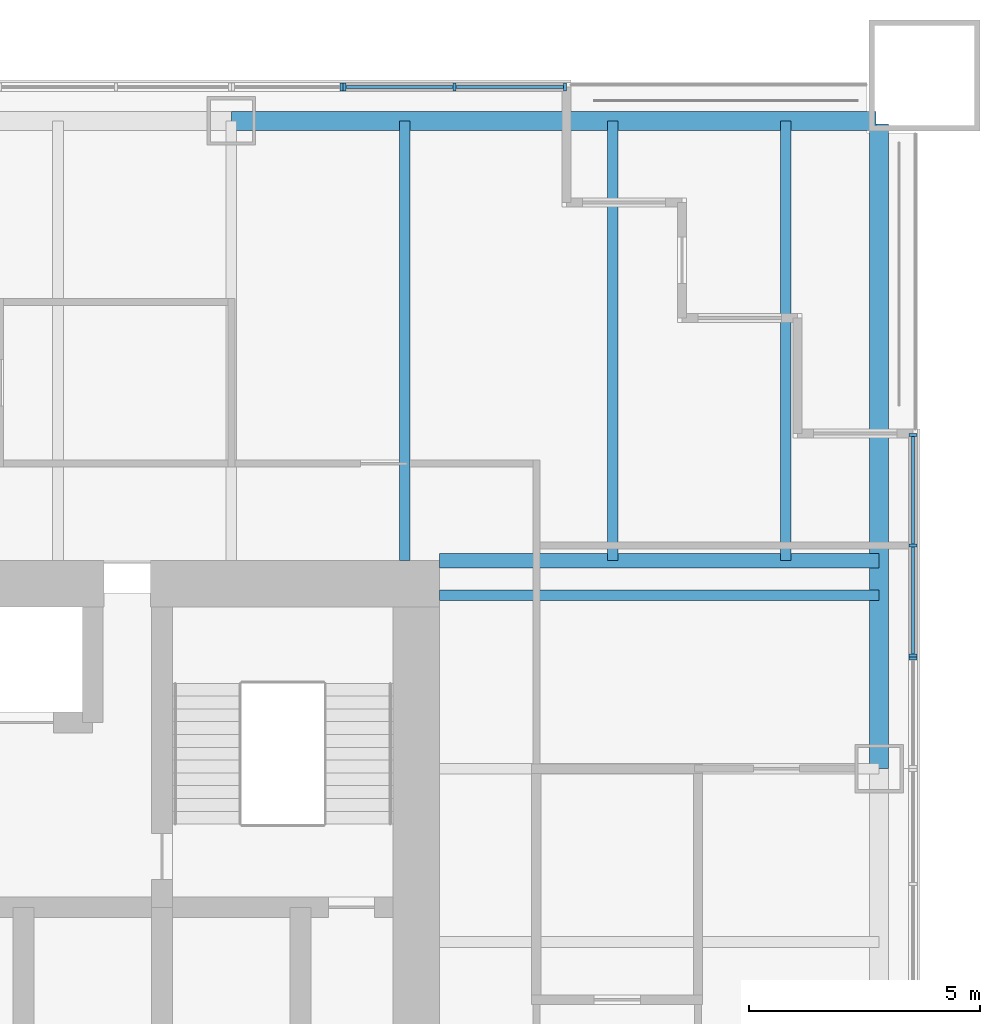
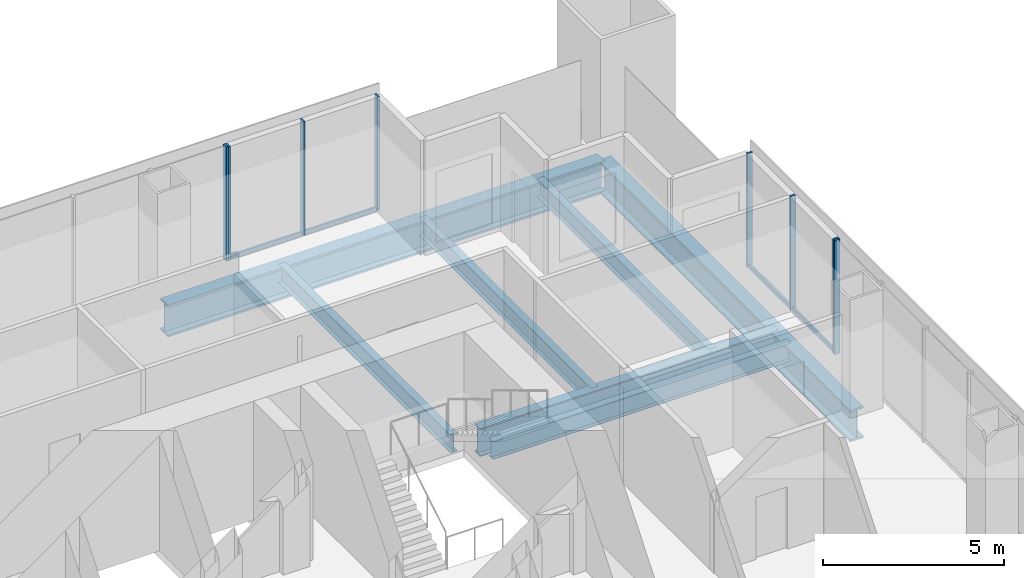
# One storey, part 6 of 13: 12 members, 7 beams, 4 elements without a shape of their own.
"""IFC4 building model written with IfcOpenShell, lengths in metres."""

from ifc_helpers import new_model, si_unit, direction, frame, origin, origin_2d, place, context, subcontext, project, spatial, rectangle, i_section, extrude, material, material_profile, profile_set, type_object, element, aggregate, save


model = new_model("IFC4")

# Units and contexts
model_context = context("Model", 3, precision=1e-05, world=origin(), true_north=direction((0.0, 1.0)))
body_context = subcontext(model_context, "Body", "Model", "MODEL_VIEW")
ifc_project = project(units=[si_unit("LENGTHUNIT", "METRE"), si_unit("AREAUNIT", "SQUARE_METRE"), si_unit("VOLUMEUNIT", "CUBIC_METRE"), si_unit("PLANEANGLEUNIT", "RADIAN"), si_unit("MASSUNIT", "GRAM", prefix="KILO")], contexts=[model_context])

# Site, building, storey
site_placement = place(None, origin())
site = spatial("IfcSite", under=ifc_project, at=site_placement, CompositionType="ELEMENT")
building_placement = place(site_placement, origin())
building = spatial("IfcBuilding", under=site, at=building_placement, Name="Tarangal Relay Tower", CompositionType="ELEMENT")
storey_placement = place(building_placement, frame((0.0, 0.0, 205.89990234375)))
storey = spatial("IfcBuildingStorey", under=building, at=storey_placement, Name="L43", CompositionType="ELEMENT", Elevation=205.89990234375)

# Beams
ifc_material_1 = material(Name="Steel ASTM A992", Category="steel")
ifc_material_profile_1 = material_profile(ifc_material_1, i_section(OverallWidth=0.227783203125, OverallDepth=0.60205078125, WebThickness=0.010498046875, FlangeThickness=0.014892578125, at=origin_2d()), Name="W24X68")
ifc_profile_set_1 = profile_set([ifc_material_profile_1], Name="Steel ASTM A992")
beam_type_1 = type_object("IfcBeamType", Name="Corner beam W24X68", PredefinedType="JOIST", material=ifc_profile_set_1)
for number, where, z_axis, x_axis, name in (
    (1, (15.75, 12.0, -0.450927734375), (0.0, 1.0, 0.0), (-1.0, 0.0, 0.0), "Corner beam CB11 N L43"),
    (2, (19.5, 12.0, -0.450927734375), (0.0, 1.0, 0.0), (-1.0, 0.0, 0.0), "Corner beam CB11 N L43"),
):
    element("IfcBeam", number, at=place(storey_placement, frame(where, z_axis=z_axis, x_axis=x_axis)), inside=storey, type_object=beam_type_1, Name=name, PredefinedType="JOIST", context=body_context, shape_type="SweptSolid", body=[
        extrude(i_section(OverallWidth=0.227783203125, OverallDepth=0.60205078125, WebThickness=0.010498046875, FlangeThickness=0.014892578125, at=origin_2d()), origin(), (0.0, 0.0, 1.0), 9.514892578125),
    ])
ifc_material_profile_2 = material_profile(ifc_material_1, i_section(OverallWidth=0.307373046875, OverallDepth=0.9423828125, WebThickness=0.022216796875, FlangeThickness=0.039794921875, at=origin_2d()), Name="W36X232")
ifc_profile_set_2 = profile_set([ifc_material_profile_2], Name="Steel ASTM A992")
beam_type_2 = type_object("IfcBeamType", Name="Corner girder W36X232", PredefinedType="BEAM", material=ifc_profile_set_2)
beam_placement = place(storey_placement, frame((12.0, 12.0, -0.62109375), z_axis=(1.0, 0.0, 0.0), x_axis=(0.0, 1.0, 0.0)))
element("IfcBeam", 3, at=beam_placement, inside=storey, type_object=beam_type_2, Name="Corner girder CG4 N L43", PredefinedType="BEAM", context=body_context, shape_type="SweptSolid", body=[
    extrude(i_section(OverallWidth=0.307373046875, OverallDepth=0.9423828125, WebThickness=0.022216796875, FlangeThickness=0.039794921875, at=origin_2d()), origin(), (0.0, 0.0, 1.0), 9.514892578125),
])
ifc_material_profile_3 = material_profile(ifc_material_1, i_section(OverallWidth=0.41650390625, OverallDepth=1.0693359375, WebThickness=0.0390625, FlangeThickness=0.070068359375, at=origin_2d()), Name="W40X503")
ifc_profile_set_3 = profile_set([ifc_material_profile_3], Name="Steel ASTM A992")
beam_type_3 = type_object("IfcBeamType", Name="Edge girder W40X503", PredefinedType="SPANDREL", material=ifc_profile_set_3)
for number, where, z_axis, x_axis, name in (
    (4, (7.5, 21.514892578125, -0.6845703125), (1.0, 0.0, 0.0), (0.0, 1.0, 0.0), "Edge girder EG8 N L43"),
    (5, (21.514892578125, 21.449951171875, -0.6845703125), (0.0, -1.0, 0.0), (1.0, 0.0, 0.0), "Edge girder EG8 E L43"),
):
    element("IfcBeam", number, at=place(storey_placement, frame(where, z_axis=z_axis, x_axis=x_axis)), inside=storey, type_object=beam_type_3, Name=name, PredefinedType="SPANDREL", context=body_context, shape_type="SweptSolid", body=[
        extrude(i_section(OverallWidth=0.41650390625, OverallDepth=1.0693359375, WebThickness=0.0390625, FlangeThickness=0.070068359375, at=origin_2d()), origin(), (0.0, 0.0, 1.0), 13.949951171875),
    ])
ifc_material_profile_4 = material_profile(ifc_material_1, i_section(OverallWidth=0.22900390625, OverallDepth=0.612060546875, WebThickness=0.011962890625, FlangeThickness=0.01953125, at=origin_2d()), Name="W24X84")
ifc_profile_set_4 = profile_set([ifc_material_profile_4], Name="Steel ASTM A992")
beam_type_4 = type_object("IfcBeamType", Name="Floor beam W24X84", PredefinedType="BEAM", material=ifc_profile_set_4)
for number, where, z_axis, x_axis, name in (
    (6, (11.25, 12.0, -0.455810546875), (0.0, 1.0, 0.0), (-1.0, 0.0, 0.0), "Floor beam RB12 N L43"),
    (7, (12.0, 11.25, -0.455810546875), (1.0, 0.0, 0.0), (0.0, 1.0, 0.0), "Floor beam RB12 E L43"),
):
    element("IfcBeam", number, at=place(storey_placement, frame(where, z_axis=z_axis, x_axis=x_axis)), inside=storey, type_object=beam_type_4, Name=name, PredefinedType="BEAM", context=body_context, shape_type="SweptSolid", body=[
        extrude(i_section(OverallWidth=0.22900390625, OverallDepth=0.612060546875, WebThickness=0.011962890625, FlangeThickness=0.01953125, at=origin_2d()), origin(), (0.0, 0.0, 1.0), 9.514892578125),
    ])

# Curtain wall, member
ifc_material_2 = material(Name="Unitised curtain wall, dark glass and black aluminium", Category="aluminium")
curtain_wall_type_1 = type_object("IfcCurtainWallType", Name="Curtain wall CW-A", PredefinedType="USERDEFINED", material=ifc_material_2)
curtain_wall_1_placement = place(storey_placement, origin())
curtain_wall_1 = element("IfcCurtainWall", 8, at=curtain_wall_1_placement, inside=storey, type_object=curtain_wall_type_1, Name="Curtain wall CW-A N facade L43", ObjectType="UNITISED CURTAIN WALL", PredefinedType="USERDEFINED")
ifc_material_3 = material(Name="Black anodised aluminium mullion", Category="aluminium")
ifc_material_profile_5 = material_profile(ifc_material_3, rectangle(XDim=0.175048828125, YDim=0.06494140625, at=origin_2d()), Name="CW-AM 65X175")
ifc_profile_set_5 = profile_set([ifc_material_profile_5], Name="Black anodised aluminium mullion")
member_type_1 = type_object("IfcMemberType", Name="Mullion CW-A 65 x 175", PredefinedType="MULLION", material=ifc_profile_set_5)
member_1_placement = place(storey_placement, frame((9.88427734375, 22.25, 0.0), z_axis=(0.0, 0.0, 1.0), x_axis=(0.0, 1.0, 0.0)))
member_1 = element("IfcMember", 9, at=member_1_placement, type_object=member_type_1, Name="CW-A mullion 2", PredefinedType="MULLION", context=body_context, shape_type="SweptSolid", body=[
    extrude(rectangle(XDim=0.175048828125, YDim=0.06494140625, at=origin_2d()), origin(), (0.0, 0.0, 1.0), 3.85009765625),
])
aggregate(curtain_wall_1, [member_1])

curtain_wall_2_placement = place(storey_placement, origin())
curtain_wall_2 = element("IfcCurtainWall", 10, at=curtain_wall_2_placement, inside=storey, type_object=curtain_wall_type_1, Name="Curtain wall CW-A E facade L43", ObjectType="UNITISED CURTAIN WALL", PredefinedType="USERDEFINED")
member_2_placement = place(storey_placement, frame((22.25, 9.88427734375, 0.0), z_axis=(0.0, 0.0, 1.0), x_axis=(1.0, 0.0, 0.0)))
member_2 = element("IfcMember", 11, at=member_2_placement, type_object=member_type_1, Name="CW-A mullion 1", PredefinedType="MULLION", context=body_context, shape_type="SweptSolid", body=[
    extrude(rectangle(XDim=0.175048828125, YDim=0.06494140625, at=origin_2d()), origin(), (0.0, 0.0, 1.0), 3.85009765625),
])
aggregate(curtain_wall_2, [member_2])

# Curtain wall, members
ifc_material_4 = material(Name="Unitised curtain wall frame, black aluminium, with metal clad infill walls", Category="aluminium")
curtain_wall_type_2 = type_object("IfcCurtainWallType", Name="Curtain wall CW-AO", PredefinedType="USERDEFINED", material=ifc_material_4)
curtain_wall_3_placement = place(storey_placement, origin())
curtain_wall_3 = element("IfcCurtainWall", 12, at=curtain_wall_3_placement, inside=storey, type_object=curtain_wall_type_2, Name="Curtain wall CW-AO N facade L43", ObjectType="UNITISED CURTAIN WALL", PredefinedType="USERDEFINED")
ifc_material_profile_6 = material_profile(ifc_material_3, rectangle(XDim=0.175048828125, YDim=0.06494140625, at=origin_2d()), Name="CW-AOM 65X175")
ifc_profile_set_6 = profile_set([ifc_material_profile_6], Name="Black anodised aluminium mullion")
member_type_2 = type_object("IfcMemberType", Name="Mullion CW-AO 65 x 175", PredefinedType="MULLION", material=ifc_profile_set_6)
member_3_placement = place(storey_placement, frame((9.94921875, 22.25, 0.0), z_axis=(0.0, 0.0, 1.0), x_axis=(0.0, 1.0, 0.0)))
member_3 = element("IfcMember", 13, at=member_3_placement, type_object=member_type_2, Name="CW-AO mullion 1", PredefinedType="MULLION", context=body_context, shape_type="SweptSolid", body=[
    extrude(rectangle(XDim=0.175048828125, YDim=0.06494140625, at=origin_2d()), origin(), (0.0, 0.0, 1.0), 3.85009765625),
])
member_4_placement = place(storey_placement, frame((12.333251953125, 22.25, 0.0), z_axis=(0.0, 0.0, 1.0), x_axis=(0.0, 1.0, 0.0)))
member_4 = element("IfcMember", 14, at=member_4_placement, type_object=member_type_2, Name="CW-AO mullion 2", PredefinedType="MULLION", context=body_context, shape_type="SweptSolid", body=[
    extrude(rectangle(XDim=0.175048828125, YDim=0.06494140625, at=origin_2d()), origin(), (0.0, 0.0, 1.0), 3.85009765625),
])
member_5_placement = place(storey_placement, frame((14.717529296875, 22.25, 0.0), z_axis=(0.0, 0.0, 1.0), x_axis=(0.0, 1.0, 0.0)))
member_5 = element("IfcMember", 15, at=member_5_placement, type_object=member_type_2, Name="CW-AO mullion 3", PredefinedType="MULLION", context=body_context, shape_type="SweptSolid", body=[
    extrude(rectangle(XDim=0.175048828125, YDim=0.06494140625, at=origin_2d()), origin(), (0.0, 0.0, 1.0), 3.85009765625),
])

curtain_wall_4_placement = place(storey_placement, origin())
curtain_wall_4 = element("IfcCurtainWall", 16, at=curtain_wall_4_placement, inside=storey, type_object=curtain_wall_type_2, Name="Curtain wall CW-AO E facade L43", ObjectType="UNITISED CURTAIN WALL", PredefinedType="USERDEFINED")
member_6_placement = place(storey_placement, frame((22.25, 14.717529296875, 0.0), z_axis=(0.0, 0.0, 1.0), x_axis=(1.0, 0.0, 0.0)))
member_6 = element("IfcMember", 17, at=member_6_placement, type_object=member_type_2, Name="CW-AO mullion 1", PredefinedType="MULLION", context=body_context, shape_type="SweptSolid", body=[
    extrude(rectangle(XDim=0.175048828125, YDim=0.06494140625, at=origin_2d()), origin(), (0.0, 0.0, 1.0), 3.85009765625),
])
member_7_placement = place(storey_placement, frame((22.25, 12.333251953125, 0.0), z_axis=(0.0, 0.0, 1.0), x_axis=(1.0, 0.0, 0.0)))
member_7 = element("IfcMember", 18, at=member_7_placement, type_object=member_type_2, Name="CW-AO mullion 2", PredefinedType="MULLION", context=body_context, shape_type="SweptSolid", body=[
    extrude(rectangle(XDim=0.175048828125, YDim=0.06494140625, at=origin_2d()), origin(), (0.0, 0.0, 1.0), 3.85009765625),
])
member_8_placement = place(storey_placement, frame((22.25, 9.94921875, 0.0), z_axis=(0.0, 0.0, 1.0), x_axis=(1.0, 0.0, 0.0)))
member_8 = element("IfcMember", 19, at=member_8_placement, type_object=member_type_2, Name="CW-AO mullion 3", PredefinedType="MULLION", context=body_context, shape_type="SweptSolid", body=[
    extrude(rectangle(XDim=0.175048828125, YDim=0.06494140625, at=origin_2d()), origin(), (0.0, 0.0, 1.0), 3.85009765625),
])

# Member
ifc_material_5 = material(Name="Black anodised aluminium transom", Category="aluminium")
ifc_material_profile_7 = material_profile(ifc_material_5, rectangle(XDim=0.06494140625, YDim=0.14990234375, at=origin_2d()), Name="CW-AOT 65X150")
ifc_profile_set_7 = profile_set([ifc_material_profile_7], Name="Black anodised aluminium transom")
member_type_3 = type_object("IfcMemberType", Name="Transom CW-AO 65 x 150", PredefinedType="USERDEFINED", material=ifc_profile_set_7)
member_9_placement = place(storey_placement, frame((9.981689453125, 22.25, 0.03271484375), z_axis=(1.0, 0.0, 0.0), x_axis=(0.0, 1.0, 0.0)))
member_9 = element("IfcMember", 20, at=member_9_placement, type_object=member_type_3, Name="CW-AO transom 1.1", ObjectType="TRANSOM", PredefinedType="USERDEFINED", context=body_context, shape_type="SweptSolid", body=[
    extrude(rectangle(XDim=0.06494140625, YDim=0.14990234375, at=origin_2d()), origin(), (0.0, 0.0, 1.0), 2.319091796875),
])

member_10_placement = place(storey_placement, frame((12.365966796875, 22.25, 0.03271484375), z_axis=(1.0, 0.0, 0.0), x_axis=(0.0, 1.0, 0.0)))
member_10 = element("IfcMember", 21, at=member_10_placement, type_object=member_type_3, Name="CW-AO transom 2.1", ObjectType="TRANSOM", PredefinedType="USERDEFINED", context=body_context, shape_type="SweptSolid", body=[
    extrude(rectangle(XDim=0.06494140625, YDim=0.14990234375, at=origin_2d()), origin(), (0.0, 0.0, 1.0), 2.319091796875),
])

aggregate(curtain_wall_3, [member_3, member_4, member_5, member_9, member_10])

member_11_placement = place(storey_placement, frame((22.25, 14.68505859375, 0.03271484375), z_axis=(0.0, -1.0, 0.0), x_axis=(1.0, 0.0, 0.0)))
member_11 = element("IfcMember", 22, at=member_11_placement, type_object=member_type_3, Name="CW-AO transom 1.1", ObjectType="TRANSOM", PredefinedType="USERDEFINED", context=body_context, shape_type="SweptSolid", body=[
    extrude(rectangle(XDim=0.06494140625, YDim=0.14990234375, at=origin_2d()), origin(), (0.0, 0.0, 1.0), 2.319091796875),
])

member_12_placement = place(storey_placement, frame((22.25, 12.30078125, 0.03271484375), z_axis=(0.0, -1.0, 0.0), x_axis=(1.0, 0.0, 0.0)))
member_12 = element("IfcMember", 23, at=member_12_placement, type_object=member_type_3, Name="CW-AO transom 2.1", ObjectType="TRANSOM", PredefinedType="USERDEFINED", context=body_context, shape_type="SweptSolid", body=[
    extrude(rectangle(XDim=0.06494140625, YDim=0.14990234375, at=origin_2d()), origin(), (0.0, 0.0, 1.0), 2.319091796875),
])

aggregate(curtain_wall_4, [member_6, member_7, member_8, member_11, member_12])

save(model, "model.ifc")
